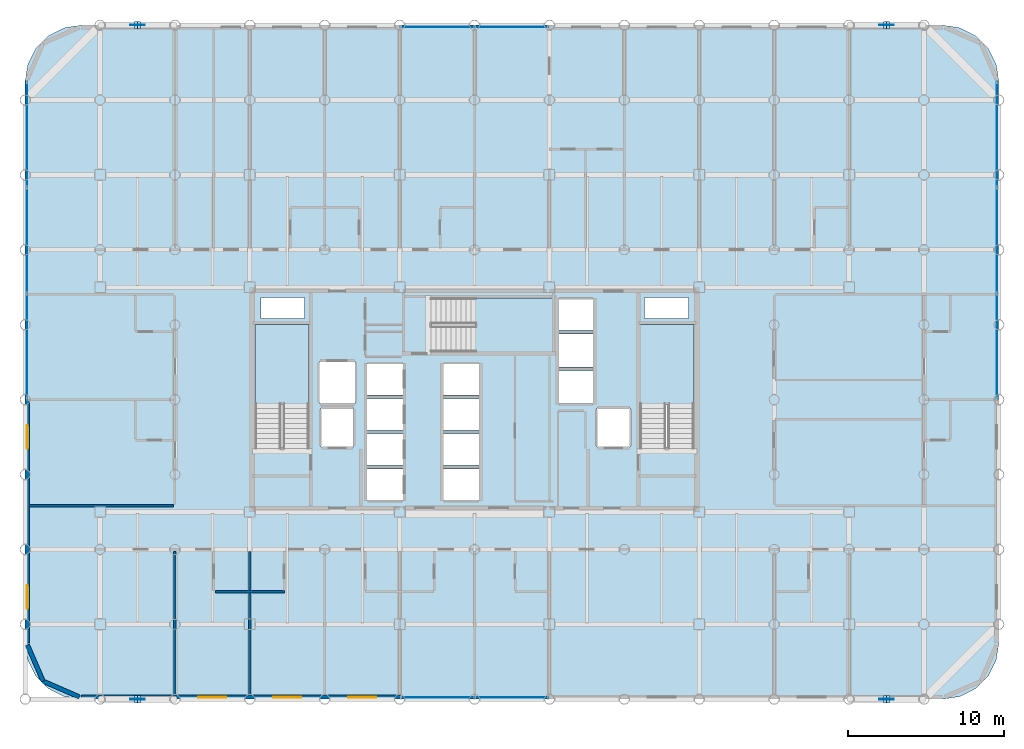
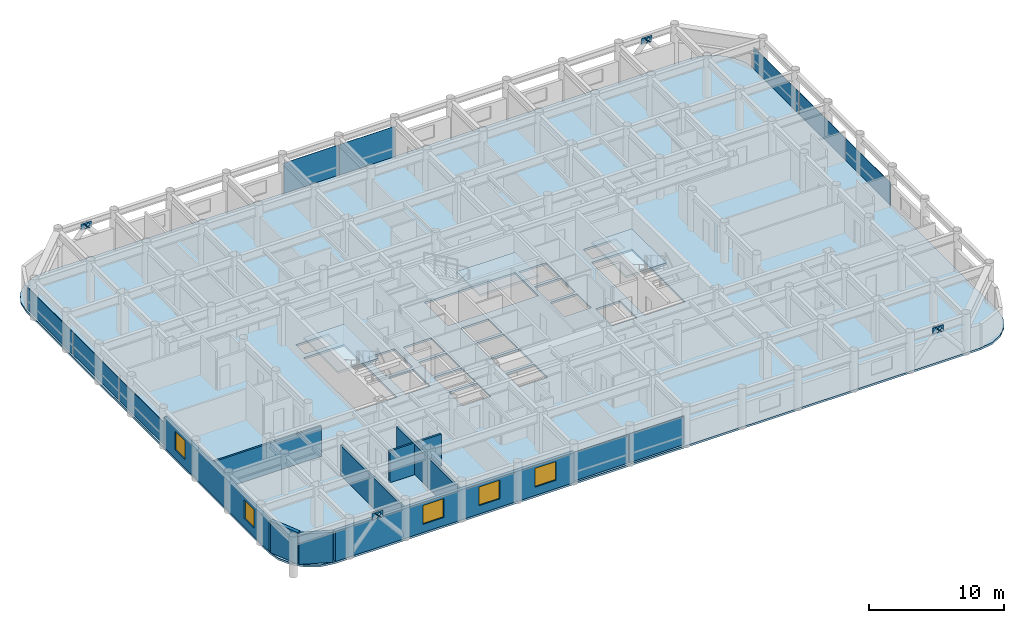
# One storey, part 16 of 22: 22 plates, 8 walls, 5 windows, 4 slabs, 5 openings, 7 elements without a shape of their own.
"""IFC4 building model written with IfcOpenShell, lengths in metres."""

from ifc_helpers import new_model, si_unit, direction, frame, frame_2d, origin, origin_2d, place, context, subcontext, project, spatial, polyline, rectangle, outline, extrude, material, layer, layer_set, type_object, element, fill, aggregate, save


model = new_model("IFC4")

# Units and contexts
model_context = context("Model", 3, precision=1e-05, world=origin(), true_north=direction((0.0, 1.0)))
body_context = subcontext(model_context, "Body", "Model", "MODEL_VIEW")
ifc_project = project(units=[si_unit("LENGTHUNIT", "METRE"), si_unit("AREAUNIT", "SQUARE_METRE"), si_unit("VOLUMEUNIT", "CUBIC_METRE"), si_unit("PLANEANGLEUNIT", "RADIAN"), si_unit("MASSUNIT", "GRAM", prefix="KILO")], contexts=[model_context])

# Site, building, storey
site_placement = place(None, origin())
site = spatial("IfcSite", under=ifc_project, at=site_placement, CompositionType="ELEMENT")
building_placement = place(site_placement, origin())
building = spatial("IfcBuilding", under=site, at=building_placement, Name="Kallvorn Hotel Tower", CompositionType="ELEMENT")
storey_placement = place(building_placement, frame((0.0, 0.0, 110.0)))
storey = spatial("IfcBuildingStorey", under=building, at=storey_placement, Name="L26", CompositionType="ELEMENT", Elevation=110.0)

# Curtain wall, plates
ifc_material_1 = material(Name="Thermally broken black-anodised aluminium AA 6063-T6", Category="aluminium")
ifc_layer_1 = layer(ifc_material_1, 0.199951171875)
ifc_layer_set_1 = layer_set([ifc_layer_1], Name="CW_SYS_3_HOTEL_LOW")
curtain_wall_type = type_object("IfcCurtainWallType", Name="CW_SYS_3_HOTEL_LOW", PredefinedType="USERDEFINED", material=ifc_layer_set_1)
curtain_wall_1_placement = place(storey_placement, origin())
curtain_wall_1 = element("IfcCurtainWall", 1, at=curtain_wall_1_placement, inside=storey, type_object=curtain_wall_type, Name="L26 Dark-Glass Curtain Wall CW-L26-SC", ObjectType="UNITISED CURTAIN WALL", PredefinedType="USERDEFINED")
ifc_material_2 = material(Name="Double-glazed low-e solar-control dark glass", Category="glass")
ifc_layer_2 = layer(ifc_material_2, 0.035888671875)
ifc_layer_set_2 = layer_set([ifc_layer_2], Name="CW_SYS_3_HOTEL_LOW_PANEL")
plate_type_1 = type_object("IfcPlateType", Name="CW_SYS_3_HOTEL_LOW_PANEL", PredefinedType="CURTAIN_PANEL", material=ifc_layer_set_2)
plate_1_placement = place(storey_placement, frame((-2.375, -19.080078125, 0.06005859375), z_axis=(0.0, 0.0, 1.0), x_axis=(1.0, 0.0, 0.0)))
plate_1 = element("IfcPlate", 2, at=plate_1_placement, type_object=plate_type_1, Name="CW-L26-SC Vision Glass Panel 00", PredefinedType="CURTAIN_PANEL", context=body_context, shape_type="SweptSolid", body=[
    extrude(rectangle(XDim=4.68994140625, YDim=0.035888671875, at=origin_2d()), origin(), (0.0, 0.0, 1.0), 2.60009765625),
])
plate_2_placement = place(storey_placement, frame((2.375, -19.080078125, 0.06005859375), z_axis=(0.0, 0.0, 1.0), x_axis=(1.0, 0.0, 0.0)))
plate_2 = element("IfcPlate", 3, at=plate_2_placement, type_object=plate_type_1, Name="CW-L26-SC Vision Glass Panel 01", PredefinedType="CURTAIN_PANEL", context=body_context, shape_type="SweptSolid", body=[
    extrude(rectangle(XDim=4.68994140625, YDim=0.035888671875, at=origin_2d()), origin(), (0.0, 0.0, 1.0), 2.60009765625),
])
aggregate(curtain_wall_1, [plate_1, plate_2])

curtain_wall_2_placement = place(storey_placement, origin())
curtain_wall_2 = element("IfcCurtainWall", 4, at=curtain_wall_2_placement, inside=storey, type_object=curtain_wall_type, Name="L26 Dark-Glass Curtain Wall CW-L26-NC", ObjectType="UNITISED CURTAIN WALL", PredefinedType="USERDEFINED")
plate_3_placement = place(storey_placement, frame((-2.375, 23.8798828125, 0.06005859375), z_axis=(0.0, 0.0, 1.0), x_axis=(1.0, 0.0, 0.0)))
plate_3 = element("IfcPlate", 5, at=plate_3_placement, type_object=plate_type_1, Name="CW-L26-NC Vision Glass Panel 00", PredefinedType="CURTAIN_PANEL", context=body_context, shape_type="SweptSolid", body=[
    extrude(rectangle(XDim=4.68994140625, YDim=0.035888671875, at=origin_2d()), origin(), (0.0, 0.0, 1.0), 2.75),
])
plate_4_placement = place(storey_placement, frame((2.375, 23.8798828125, 0.06005859375), z_axis=(0.0, 0.0, 1.0), x_axis=(1.0, 0.0, 0.0)))
plate_4 = element("IfcPlate", 6, at=plate_4_placement, type_object=plate_type_1, Name="CW-L26-NC Vision Glass Panel 01", PredefinedType="CURTAIN_PANEL", context=body_context, shape_type="SweptSolid", body=[
    extrude(rectangle(XDim=4.68994140625, YDim=0.035888671875, at=origin_2d()), origin(), (0.0, 0.0, 1.0), 2.75),
])
aggregate(curtain_wall_2, [plate_3, plate_4])

curtain_wall_3_placement = place(storey_placement, origin())
curtain_wall_3 = element("IfcCurtainWall", 7, at=curtain_wall_3_placement, inside=storey, type_object=curtain_wall_type, Name="L26 Dark-Glass Curtain Wall CW-L26-WN", ObjectType="UNITISED CURTAIN WALL", PredefinedType="USERDEFINED")
plate_5_placement = place(storey_placement, frame((-28.679931640625, 3.41650390625, 0.06005859375), z_axis=(0.0, 0.0, 1.0), x_axis=(0.0, 1.0, 0.0)))
plate_5 = element("IfcPlate", 8, at=plate_5_placement, type_object=plate_type_1, Name="CW-L26-WN Vision Glass Panel 00", PredefinedType="CURTAIN_PANEL", context=body_context, shape_type="SweptSolid", body=[
    extrude(rectangle(XDim=6.7333984375, YDim=0.035888671875, at=origin_2d()), origin(), (0.0, 0.0, 1.0), 2.0),
])
plate_6_placement = place(storey_placement, frame((-28.679931640625, 10.2099609375, 0.06005859375), z_axis=(0.0, 0.0, 1.0), x_axis=(0.0, 1.0, 0.0)))
plate_6 = element("IfcPlate", 9, at=plate_6_placement, type_object=plate_type_1, Name="CW-L26-WN Vision Glass Panel 01", PredefinedType="CURTAIN_PANEL", context=body_context, shape_type="SweptSolid", body=[
    extrude(rectangle(XDim=6.7333984375, YDim=0.035888671875, at=origin_2d()), origin(), (0.0, 0.0, 1.0), 2.0),
])
plate_7_placement = place(storey_placement, frame((-28.679931640625, 17.00341796875, 0.06005859375), z_axis=(0.0, 0.0, 1.0), x_axis=(0.0, 1.0, 0.0)))
plate_7 = element("IfcPlate", 10, at=plate_7_placement, type_object=plate_type_1, Name="CW-L26-WN Vision Glass Panel 02", PredefinedType="CURTAIN_PANEL", context=body_context, shape_type="SweptSolid", body=[
    extrude(rectangle(XDim=6.7333984375, YDim=0.035888671875, at=origin_2d()), origin(), (0.0, 0.0, 1.0), 2.0),
])
aggregate(curtain_wall_3, [plate_5, plate_6, plate_7])

curtain_wall_4_placement = place(storey_placement, origin())
curtain_wall_4 = element("IfcCurtainWall", 11, at=curtain_wall_4_placement, inside=storey, type_object=curtain_wall_type, Name="L26 Dark-Glass Curtain Wall CW-L26-EN", ObjectType="UNITISED CURTAIN WALL", PredefinedType="USERDEFINED")
plate_8_placement = place(storey_placement, frame((33.47998046875, 3.41650390625, 0.06005859375), z_axis=(0.0, 0.0, 1.0), x_axis=(0.0, 1.0, 0.0)))
plate_8 = element("IfcPlate", 12, at=plate_8_placement, type_object=plate_type_1, Name="CW-L26-EN Vision Glass Panel 00", PredefinedType="CURTAIN_PANEL", context=body_context, shape_type="SweptSolid", body=[
    extrude(rectangle(XDim=6.7333984375, YDim=0.035888671875, at=origin_2d()), origin(), (0.0, 0.0, 1.0), 2.0),
])
plate_9_placement = place(storey_placement, frame((33.47998046875, 10.2099609375, 0.06005859375), z_axis=(0.0, 0.0, 1.0), x_axis=(0.0, 1.0, 0.0)))
plate_9 = element("IfcPlate", 13, at=plate_9_placement, type_object=plate_type_1, Name="CW-L26-EN Vision Glass Panel 01", PredefinedType="CURTAIN_PANEL", context=body_context, shape_type="SweptSolid", body=[
    extrude(rectangle(XDim=6.7333984375, YDim=0.035888671875, at=origin_2d()), origin(), (0.0, 0.0, 1.0), 2.0),
])
plate_10_placement = place(storey_placement, frame((33.47998046875, 17.00341796875, 0.06005859375), z_axis=(0.0, 0.0, 1.0), x_axis=(0.0, 1.0, 0.0)))
plate_10 = element("IfcPlate", 14, at=plate_10_placement, type_object=plate_type_1, Name="CW-L26-EN Vision Glass Panel 02", PredefinedType="CURTAIN_PANEL", context=body_context, shape_type="SweptSolid", body=[
    extrude(rectangle(XDim=6.7333984375, YDim=0.035888671875, at=origin_2d()), origin(), (0.0, 0.0, 1.0), 2.0),
])
aggregate(curtain_wall_4, [plate_8, plate_9, plate_10])

# Plates
ifc_material_3 = material(Name="Structural steel S355JR", Category="steel")
ifc_layer_3 = layer(ifc_material_3, 0.030029296875)
ifc_layer_set_3 = layer_set([ifc_layer_3], Name="PLT_CAP_30")
plate_type_2 = type_object("IfcPlateType", Name="PLT_CAP_30", PredefinedType="SHEET", material=ifc_layer_set_3)
for number, where, z_axis, x_axis, name in (
    (15, (-21.407958984375, -19.443115234375, 2.8603515625), (0.646482084167, 0.0, 0.76292916765), (0.0, 1.0, 0.0), "EXO-L26-S1A End Cap Plate B"),
    (16, (-21.7919921875, -18.956787109375, 2.8603515625), (-0.646482084167, 0.0, 0.76292916765), (0.0, -1.0, 0.0), "EXO-L26-S1B End Cap Plate B"),
    (17, (26.592041015625, -19.443115234375, 2.8603515625), (0.646482084167, 0.0, 0.76292916765), (0.0, 1.0, 0.0), "EXO-L26-S2A End Cap Plate B"),
    (18, (26.2080078125, -18.956787109375, 2.8603515625), (-0.646482084167, 0.0, 0.76292916765), (0.0, -1.0, 0.0), "EXO-L26-S2B End Cap Plate B"),
    (19, (-21.407958984375, 23.7568359375, 2.8603515625), (0.646482084167, 0.0, 0.76292916765), (0.0, 1.0, 0.0), "EXO-L26-N1A End Cap Plate B"),
    (20, (-21.7919921875, 24.2431640625, 2.8603515625), (-0.646482084167, 0.0, 0.76292916765), (0.0, -1.0, 0.0), "EXO-L26-N1B End Cap Plate B"),
    (21, (26.592041015625, 23.7568359375, 2.8603515625), (0.646482084167, 0.0, 0.76292916765), (0.0, 1.0, 0.0), "EXO-L26-N2A End Cap Plate B"),
    (22, (26.2080078125, 24.2431640625, 2.8603515625), (-0.646482084167, 0.0, 0.76292916765), (0.0, -1.0, 0.0), "EXO-L26-N2B End Cap Plate B"),
):
    element("IfcPlate", number, at=place(storey_placement, frame(where, z_axis=z_axis, x_axis=x_axis)), inside=storey, type_object=plate_type_2, Name=name, PredefinedType="SHEET", context=body_context, shape_type="SweptSolid", body=[
        extrude(outline(polyline([(0.0, 0.0), (0.486328125, 0.0), (0.486328125, 0.48640655743043604), (0.0, 0.48640655743043604), (0.0, 0.0)])), origin(), (0.0, 0.0, -1.0), 0.030029296875),
    ])
ifc_material_4 = material(Name="Structural steel S355JR", Category="steel")
ifc_layer_4 = layer(ifc_material_4, 0.044921875)
ifc_layer_set_4 = layer_set([ifc_layer_4], Name="PLT_GUSSET_45")
plate_type_3 = type_object("IfcPlateType", Name="PLT_GUSSET_45", PredefinedType="USERDEFINED", material=ifc_layer_set_4)
for number, where, z_axis, x_axis, name in (
    (23, (-21.60009765625, -19.199951171875, 2.68994140625), (0.0, 0.0, 1.0), (1.0, 0.0, 0.0), "L26 Exoskeleton Node Gusset S1"),
    (24, (26.39990234375, -19.199951171875, 2.68994140625), (0.0, 0.0, 1.0), (1.0, 0.0, 0.0), "L26 Exoskeleton Node Gusset S2"),
    (25, (-21.60009765625, 24.0, 2.68994140625), (0.0, 0.0, 1.0), (1.0, 0.0, 0.0), "L26 Exoskeleton Node Gusset N1"),
    (26, (26.39990234375, 24.0, 2.68994140625), (0.0, 0.0, 1.0), (1.0, 0.0, 0.0), "L26 Exoskeleton Node Gusset N2"),
):
    element("IfcPlate", number, at=place(storey_placement, frame(where, z_axis=z_axis, x_axis=x_axis)), inside=storey, type_object=plate_type_3, Name=name, ObjectType="GUSSET PLATE", PredefinedType="USERDEFINED", context=body_context, shape_type="SweptSolid", body=[
        extrude(rectangle(XDim=0.89990234375, YDim=0.044921875, at=origin_2d()), origin(), (0.0, 0.0, 1.0), 0.56005859375),
    ])

# Stair, slab
ifc_material_5 = material(Name="Precast concrete C40/50", Category="concrete")
stair_type = type_object("IfcStairType", Name="STR_CORE_DOGLEG", PredefinedType="HALF_TURN_STAIR", material=ifc_material_5)
stair_1_placement = place(storey_placement, origin())
stair_1 = element("IfcStair", 27, at=stair_1_placement, inside=storey, type_object=stair_type, Name="L26 Exit stair ST1", PredefinedType="HALF_TURN_STAIR")
ifc_material_6 = material(Name="Precast concrete C40/50", Category="concrete")
ifc_layer_5 = layer(ifc_material_6, 0.179931640625)
ifc_layer_set_5 = layer_set([ifc_layer_5], Name="SLB_LANDING_180")
slab_type_1 = type_object("IfcSlabType", Name="SLB_LANDING_180", PredefinedType="LANDING", material=ifc_layer_set_5)
slab_1_placement = place(storey_placement, frame((0.0, 0.0, 1.64990234375)))
slab_1 = element("IfcSlab", 28, at=slab_1_placement, type_object=slab_type_1, Name="ST1 landing 1", PredefinedType="LANDING", context=body_context, shape_type="SweptSolid", body=[
    extrude(outline(polyline([(-10.60009765625, -0.31005859375), (-10.60009765625, 4.800048828125), (-14.06005859375, 4.800048828125), (-14.06005859375, -0.31005859375), (-10.60009765625, -0.31005859375)])), origin(), (0.0, 0.0, 1.0), 0.2001953125),
])
aggregate(stair_1, [slab_1])

stair_2_placement = place(storey_placement, origin())
stair_2 = element("IfcStair", 29, at=stair_2_placement, inside=storey, type_object=stair_type, Name="L26 Exit stair ST2", PredefinedType="HALF_TURN_STAIR")
slab_2_placement = place(storey_placement, frame((0.0, 0.0, 1.64990234375)))
slab_2 = element("IfcSlab", 30, at=slab_2_placement, type_object=slab_type_1, Name="ST2 landing 1", PredefinedType="LANDING", context=body_context, shape_type="SweptSolid", body=[
    extrude(outline(polyline([(14.06005859375, -0.31005859375), (14.06005859375, 4.800048828125), (10.60009765625, 4.800048828125), (10.60009765625, -0.31005859375), (14.06005859375, -0.31005859375)])), origin(), (0.0, 0.0, 1.0), 0.2001953125),
])
aggregate(stair_2, [slab_2])

stair_3_placement = place(storey_placement, origin())
stair_3 = element("IfcStair", 31, at=stair_3_placement, inside=storey, type_object=stair_type, Name="L26 Exit stair ST3", PredefinedType="HALF_TURN_STAIR")
slab_3_placement = place(storey_placement, frame((0.0, 0.0, 1.64990234375)))
slab_3 = element("IfcSlab", 32, at=slab_3_placement, type_object=slab_type_1, Name="ST3 landing 1", PredefinedType="LANDING", context=body_context, shape_type="SweptSolid", body=[
    extrude(outline(polyline([(0.0400390625, 3.050048828125), (5.050048828125, 3.050048828125), (5.050048828125, 6.510009765625), (0.0400390625, 6.510009765625), (0.0400390625, 3.050048828125)])), origin(), (0.0, 0.0, 1.0), 0.2001953125),
])
aggregate(stair_3, [slab_3])

# Slab
ifc_material_7 = material(Name="Concrete C40/50", Category="concrete")
ifc_layer_6 = layer(ifc_material_7, 0.179931640625)
ifc_layer_set_6 = layer_set([ifc_layer_6], Name="SLB_TOWER_180")
slab_type_2 = type_object("IfcSlabType", Name="SLB_TOWER_180", PredefinedType="FLOOR", material=ifc_layer_set_6)
slab_4_placement = place(storey_placement, frame((0.0, 0.0, -0.179931640625)))
element("IfcSlab", 33, at=slab_4_placement, inside=storey, type_object=slab_type_2, Name="L26 Structural Floor Slab", PredefinedType="FLOOR", context=body_context, shape_type="SweptSolid", body=[
    extrude(outline(polyline([(30.0, -19.199951171875), (31.112548828125, -19.023681640625), (32.115966796875, -18.512451171875), (32.91259765625, -17.716064453125), (33.423828125, -16.71240234375), (33.60009765625, -15.60009765625), (33.60009765625, 20.39990234375), (33.423828125, 21.512451171875), (32.91259765625, 22.51611328125), (32.115966796875, 23.3125), (31.112548828125, 23.82373046875), (30.0, 24.0), (-25.199951171875, 24.0), (-26.3125, 23.82373046875), (-27.31591796875, 23.3125), (-28.112548828125, 22.51611328125), (-28.623779296875, 21.512451171875), (-28.800048828125, 20.39990234375), (-28.800048828125, -15.60009765625), (-28.623779296875, -16.71240234375), (-28.112548828125, -17.716064453125), (-27.31591796875, -18.512451171875), (-26.3125, -19.023681640625), (-25.199951171875, -19.199951171875), (30.0, -19.199951171875)]), holes=[polyline([(-10.60009765625, -3.070068359375), (-10.60009765625, 4.800048828125), (-14.06005859375, 4.800048828125), (-14.06005859375, -3.070068359375), (-10.60009765625, -3.070068359375)]), polyline([(14.06005859375, -3.070068359375), (14.06005859375, 4.800048828125), (10.60009765625, 4.800048828125), (10.60009765625, -3.070068359375), (14.06005859375, -3.070068359375)]), polyline([(-2.719970703125, 3.050048828125), (5.050048828125, 3.050048828125), (5.050048828125, 6.510009765625), (-2.719970703125, 6.510009765625), (-2.719970703125, 3.050048828125)]), polyline([(-6.949951171875, -6.449951171875), (-4.550048828125, -6.449951171875), (-4.550048828125, -4.449951171875), (-6.949951171875, -4.449951171875), (-6.949951171875, -6.449951171875)]), polyline([(-6.949951171875, -4.199951171875), (-4.550048828125, -4.199951171875), (-4.550048828125, -2.199951171875), (-6.949951171875, -2.199951171875), (-6.949951171875, -4.199951171875)]), polyline([(-6.949951171875, -1.949951171875), (-4.550048828125, -1.949951171875), (-4.550048828125, 0.050048828125), (-6.949951171875, 0.050048828125), (-6.949951171875, -1.949951171875)]), polyline([(-6.949951171875, 0.300048828125), (-4.550048828125, 0.300048828125), (-4.550048828125, 2.300048828125), (-6.949951171875, 2.300048828125), (-6.949951171875, 0.300048828125)]), polyline([(-2.050048828125, -6.449951171875), (0.35009765625, -6.449951171875), (0.35009765625, -4.449951171875), (-2.050048828125, -4.449951171875), (-2.050048828125, -6.449951171875)]), polyline([(-2.050048828125, -4.199951171875), (0.35009765625, -4.199951171875), (0.35009765625, -2.199951171875), (-2.050048828125, -2.199951171875), (-2.050048828125, -4.199951171875)]), polyline([(-2.050048828125, -1.949951171875), (0.35009765625, -1.949951171875), (0.35009765625, 0.050048828125), (-2.050048828125, 0.050048828125), (-2.050048828125, -1.949951171875)]), polyline([(-2.050048828125, 0.300048828125), (0.35009765625, 0.300048828125), (0.35009765625, 2.300048828125), (-2.050048828125, 2.300048828125), (-2.050048828125, 0.300048828125)]), polyline([(5.35009765625, -0.25), (7.64990234375, -0.25), (7.64990234375, 1.85009765625), (5.35009765625, 1.85009765625), (5.35009765625, -0.25)]), polyline([(5.35009765625, 2.10009765625), (7.64990234375, 2.10009765625), (7.64990234375, 4.199951171875), (5.35009765625, 4.199951171875), (5.35009765625, 2.10009765625)]), polyline([(5.35009765625, 4.449951171875), (7.64990234375, 4.449951171875), (7.64990234375, 6.449951171875), (5.35009765625, 6.449951171875), (5.35009765625, 4.449951171875)]), polyline([(-9.85009765625, -3.050048828125), (-7.75, -3.050048828125), (-7.75, -0.550048828125), (-9.85009765625, -0.550048828125), (-9.85009765625, -3.050048828125)]), polyline([(7.85009765625, -3.050048828125), (9.949951171875, -3.050048828125), (9.949951171875, -0.550048828125), (7.85009765625, -0.550048828125), (7.85009765625, -3.050048828125)]), polyline([(-9.949951171875, -0.25), (-7.64990234375, -0.25), (-7.64990234375, 2.449951171875), (-9.949951171875, 2.449951171875), (-9.949951171875, -0.25)]), polyline([(-13.699951171875, 5.199951171875), (-10.89990234375, 5.199951171875), (-10.89990234375, 6.550048828125), (-13.699951171875, 6.550048828125), (-13.699951171875, 5.199951171875)]), polyline([(10.89990234375, 5.199951171875), (13.699951171875, 5.199951171875), (13.699951171875, 6.550048828125), (10.89990234375, 6.550048828125), (10.89990234375, 5.199951171875)])]), origin(), (0.0, 0.0, 1.0), 0.179931640625),
])

# Walls
ifc_material_8 = material(Name="Fire-rated double-layer acoustic gypsum drywall EI 60")
ifc_layer_7 = layer(ifc_material_8, 0.159912109375)
ifc_layer_set_7 = layer_set([ifc_layer_7], Name="WL_DEMISE_160")
wall_type_1 = type_object("IfcWallType", Name="WL_DEMISE_160", PredefinedType="PARTITIONING", material=ifc_layer_set_7)
wall_1_placement = place(storey_placement, frame((-16.610107421875, -12.320068359375, 0.0), z_axis=(0.0, 0.0, 1.0), x_axis=(1.0, 0.0, 0.0)))
element("IfcWall", 34, at=wall_1_placement, inside=storey, type_object=wall_type_1, Name="L26 Suite 2605 Superior Twin Room Partition", PredefinedType="PARTITIONING", context=body_context, shape_type="SweptSolid", body=[
    extrude(rectangle(XDim=4.420166015625, YDim=0.159912109375, at=frame_2d((2.2099609375, 0.0))), origin(), (0.0, 0.0, 1.0), 2.8701171875),
])
wall_2_placement = place(storey_placement, frame((-28.510009765625, -6.800048828125, 0.0), z_axis=(0.0, 0.0, 1.0), x_axis=(1.0, 0.0, 0.0)))
element("IfcWall", 35, at=wall_2_placement, inside=storey, type_object=wall_type_1, Name="L26 Suite 2601 W Loggia King Room Partition", PredefinedType="PARTITIONING", context=body_context, shape_type="SweptSolid", body=[
    extrude(rectangle(XDim=9.22998046875, YDim=0.159912109375, at=frame_2d((4.614990234375, 0.0))), origin(), (0.0, 0.0, 1.0), 2.719970703125),
])
for number, where, z_axis, x_axis, name in (
    (36, (-19.199951171875, -18.909912109375, 0.0), (0.0, 0.0, 1.0), (0.0, 1.0, 0.0), "L26 Suite 2605 Superior Twin Room Partition"),
    (37, (-14.39990234375, -18.909912109375, 0.0), (0.0, 0.0, 1.0), (0.0, 1.0, 0.0), "L26 Suite 2605 Superior Twin Room Partition"),
):
    element("IfcWall", number, at=place(storey_placement, frame(where, z_axis=z_axis, x_axis=x_axis)), inside=storey, type_object=wall_type_1, Name=name, PredefinedType="PARTITIONING", context=body_context, shape_type="SweptSolid", body=[
        extrude(rectangle(XDim=9.18994140625, YDim=0.159912109375, at=frame_2d((4.594970703125, 0.0))), origin(), (0.0, 0.0, 1.0), 2.719970703125),
    ])
ifc_material_9 = material(Name="Precast basalt-clad insulated concrete wall C40/50", Category="masonry")
ifc_layer_8 = layer(ifc_material_9, 0.280029296875)
ifc_layer_set_8 = layer_set([ifc_layer_8], Name="WL_EXT_LOGGIA_280")
wall_type_2 = type_object("IfcWallType", Name="WL_EXT_LOGGIA_280", PredefinedType="SOLIDWALL", material=ifc_layer_set_8)
wall_3_placement = place(storey_placement, frame((-28.657958984375, -15.720703125, 0.0), z_axis=(0.0, 0.0, 1.0), x_axis=(0.398792985289, -0.917040977756, 0.0)))
element("IfcWall", 38, at=wall_3_placement, inside=storey, type_object=wall_type_2, Name="L26 Rounded Corner Exterior Wall SW1", PredefinedType="SOLIDWALL", context=body_context, shape_type="SweptSolid", body=[
    extrude(rectangle(XDim=2.536376953125, YDim=0.280029296875, at=frame_2d((1.26806640625, 0.0))), origin(), (0.0, 0.0, 1.0), 2.8701171875),
])
wall_4_placement = place(storey_placement, frame((-27.646484375, -18.046630859375, 0.0), z_axis=(0.0, 0.0, 1.0), x_axis=(0.917060872934, -0.398747232384, 0.0)))
element("IfcWall", 39, at=wall_4_placement, inside=storey, type_object=wall_type_2, Name="L26 Rounded Corner Exterior Wall SW2", PredefinedType="SOLIDWALL", context=body_context, shape_type="SweptSolid", body=[
    extrude(rectangle(XDim=2.5361328125, YDim=0.280029296875, at=frame_2d((1.26806640625, 0.0))), origin(), (0.0, 0.0, 1.0), 2.719970703125),
])

# Wall, openings, windows
wall_5_placement = place(storey_placement, frame((-25.199951171875, -19.06005859375, 0.0), z_axis=(0.0, 0.0, 1.0), x_axis=(1.0, 0.0, 0.0)))
wall_5 = element("IfcWall", 40, at=wall_5_placement, inside=storey, type_object=wall_type_2, Name="L26 Exterior Envelope Wall EW-L26-SW", PredefinedType="SOLIDWALL", context=body_context, shape_type="SweptSolid", body=[
    extrude(rectangle(XDim=20.449951171875, YDim=0.280029296875, at=frame_2d((10.22509765625, 0.0))), origin(), (0.0, 0.0, 1.0), 2.719970703125),
])
opening_1_placement = place(wall_5_placement, frame((7.5, 0.0, 0.75)))
opening_1 = element("IfcOpeningElement", 41, at=opening_1_placement, cuts=wall_5, Name="Opening W04", PredefinedType="OPENING", context=body_context, shape_type="SweptSolid", body=[
    extrude(rectangle(XDim=1.800048828125, YDim=1.699951171875, at=frame_2d((0.89990234375, 0.85009765625))), frame((0.0, 0.155029296875, 0.0), z_axis=(0.0, -1.0, 0.0), x_axis=(1.0, 0.0, 0.0)), (0.0, 0.0, 1.0), 0.31005859375),
])
opening_2_placement = place(wall_5_placement, frame((12.300048828125, 0.0, 0.75)))
opening_2 = element("IfcOpeningElement", 42, at=opening_2_placement, cuts=wall_5, Name="Opening W04", PredefinedType="OPENING", context=body_context, shape_type="SweptSolid", body=[
    extrude(rectangle(XDim=1.800048828125, YDim=1.699951171875, at=frame_2d((0.89990234375, 0.85009765625))), frame((0.0, 0.155029296875, 0.0), z_axis=(0.0, -1.0, 0.0), x_axis=(1.0, 0.0, 0.0)), (0.0, 0.0, 1.0), 0.31005859375),
])
opening_3_placement = place(wall_5_placement, frame((17.10009765625, 0.0, 0.75)))
opening_3 = element("IfcOpeningElement", 43, at=opening_3_placement, cuts=wall_5, Name="Opening W04", PredefinedType="OPENING", context=body_context, shape_type="SweptSolid", body=[
    extrude(rectangle(XDim=1.800048828125, YDim=1.699951171875, at=frame_2d((0.89990234375, 0.85009765625))), frame((0.0, 0.155029296875, 0.0), z_axis=(0.0, -1.0, 0.0), x_axis=(1.0, 0.0, 0.0)), (0.0, 0.0, 1.0), 0.31005859375),
])
ifc_material_10 = material(Name="Double-glazed low-e solar-control dark glass", Category="glass")
window_type_1 = type_object("IfcWindowType", Name="WN_HTL_1800x1700", PartitioningType="SINGLE_PANEL", PredefinedType="WINDOW", material=ifc_material_10)
window_1_placement = place(opening_1_placement, origin())
window_1 = element("IfcWindow", 44, at=window_1_placement, inside=storey, type_object=window_type_1, Name="L26 Guestroom Exterior Window 05", OverallHeight=1.699951171875, OverallWidth=1.800048828125, PartitioningType="SINGLE_PANEL", PredefinedType="WINDOW", context=body_context, shape_type="SweptSolid", body=[
    extrude(rectangle(XDim=1.800048828125, YDim=1.699951171875, at=frame_2d((0.89990234375, 0.85009765625))), frame((0.0, 0.030029296875, 0.0), z_axis=(0.0, -1.0, 0.0), x_axis=(1.0, 0.0, 0.0)), (0.0, 0.0, 1.0), 0.06005859375),
])
fill(opening_1, window_1)
window_2_placement = place(opening_2_placement, origin())
window_2 = element("IfcWindow", 45, at=window_2_placement, inside=storey, type_object=window_type_1, Name="L26 Guestroom Exterior Window 06", OverallHeight=1.699951171875, OverallWidth=1.800048828125, PartitioningType="SINGLE_PANEL", PredefinedType="WINDOW", context=body_context, shape_type="SweptSolid", body=[
    extrude(rectangle(XDim=1.800048828125, YDim=1.699951171875, at=frame_2d((0.89990234375, 0.85009765625))), frame((0.0, 0.030029296875, 0.0), z_axis=(0.0, -1.0, 0.0), x_axis=(1.0, 0.0, 0.0)), (0.0, 0.0, 1.0), 0.06005859375),
])
fill(opening_2, window_2)
window_3_placement = place(opening_3_placement, origin())
window_3 = element("IfcWindow", 46, at=window_3_placement, inside=storey, type_object=window_type_1, Name="L26 Guestroom Exterior Window 07", OverallHeight=1.699951171875, OverallWidth=1.800048828125, PartitioningType="SINGLE_PANEL", PredefinedType="WINDOW", context=body_context, shape_type="SweptSolid", body=[
    extrude(rectangle(XDim=1.800048828125, YDim=1.699951171875, at=frame_2d((0.89990234375, 0.85009765625))), frame((0.0, 0.030029296875, 0.0), z_axis=(0.0, -1.0, 0.0), x_axis=(1.0, 0.0, 0.0)), (0.0, 0.0, 1.0), 0.06005859375),
])
fill(opening_3, window_3)

wall_6_placement = place(storey_placement, frame((-28.659912109375, -15.60009765625, 0.0), z_axis=(0.0, 0.0, 1.0), x_axis=(0.0, 1.0, 0.0)))
wall_6 = element("IfcWall", 47, at=wall_6_placement, inside=storey, type_object=wall_type_2, Name="L26 Exterior Envelope Wall EW-L26-WS", PredefinedType="SOLIDWALL", context=body_context, shape_type="SweptSolid", body=[
    extrude(rectangle(XDim=15.580078125, YDim=0.280029296875, at=frame_2d((7.7900390625, 0.0))), origin(), (0.0, 0.0, 1.0), 2.719970703125),
])
opening_4_placement = place(wall_6_placement, frame((2.18994140625, 0.0, 0.75)))
opening_4 = element("IfcOpeningElement", 48, at=opening_4_placement, cuts=wall_6, Name="Opening W05", PredefinedType="OPENING", context=body_context, shape_type="SweptSolid", body=[
    extrude(rectangle(XDim=1.5, YDim=1.699951171875, at=frame_2d((0.75, 0.85009765625))), frame((0.0, 0.155029296875, 0.0), z_axis=(0.0, -1.0, 0.0), x_axis=(1.0, 0.0, 0.0)), (0.0, 0.0, 1.0), 0.31005859375),
])
opening_5_placement = place(wall_6_placement, frame((12.449951171875, 0.0, 0.75)))
opening_5 = element("IfcOpeningElement", 49, at=opening_5_placement, cuts=wall_6, Name="Opening W05", PredefinedType="OPENING", context=body_context, shape_type="SweptSolid", body=[
    extrude(rectangle(XDim=1.5, YDim=1.699951171875, at=frame_2d((0.75, 0.85009765625))), frame((0.0, 0.155029296875, 0.0), z_axis=(0.0, -1.0, 0.0), x_axis=(1.0, 0.0, 0.0)), (0.0, 0.0, 1.0), 0.31005859375),
])
ifc_material_11 = material(Name="Double-glazed low-e solar-control dark glass", Category="glass")
window_type_2 = type_object("IfcWindowType", Name="WN_HTL_1500x1700", PartitioningType="SINGLE_PANEL", PredefinedType="WINDOW", material=ifc_material_11)
window_4_placement = place(opening_4_placement, origin())
window_4 = element("IfcWindow", 50, at=window_4_placement, inside=storey, type_object=window_type_2, Name="L26 Flank Wing Window 01", OverallHeight=1.699951171875, OverallWidth=1.5, PartitioningType="SINGLE_PANEL", PredefinedType="WINDOW", context=body_context, shape_type="SweptSolid", body=[
    extrude(rectangle(XDim=1.5, YDim=1.699951171875, at=frame_2d((0.75, 0.85009765625))), frame((0.0, 0.030029296875, 0.0), z_axis=(0.0, -1.0, 0.0), x_axis=(1.0, 0.0, 0.0)), (0.0, 0.0, 1.0), 0.06005859375),
])
fill(opening_4, window_4)
window_5_placement = place(opening_5_placement, origin())
window_5 = element("IfcWindow", 51, at=window_5_placement, inside=storey, type_object=window_type_2, Name="L26 Flank Wing Window 03", OverallHeight=1.699951171875, OverallWidth=1.5, PartitioningType="SINGLE_PANEL", PredefinedType="WINDOW", context=body_context, shape_type="SweptSolid", body=[
    extrude(rectangle(XDim=1.5, YDim=1.699951171875, at=frame_2d((0.75, 0.85009765625))), frame((0.0, 0.030029296875, 0.0), z_axis=(0.0, -1.0, 0.0), x_axis=(1.0, 0.0, 0.0)), (0.0, 0.0, 1.0), 0.06005859375),
])
fill(opening_5, window_5)

save(model, "model.ifc")
